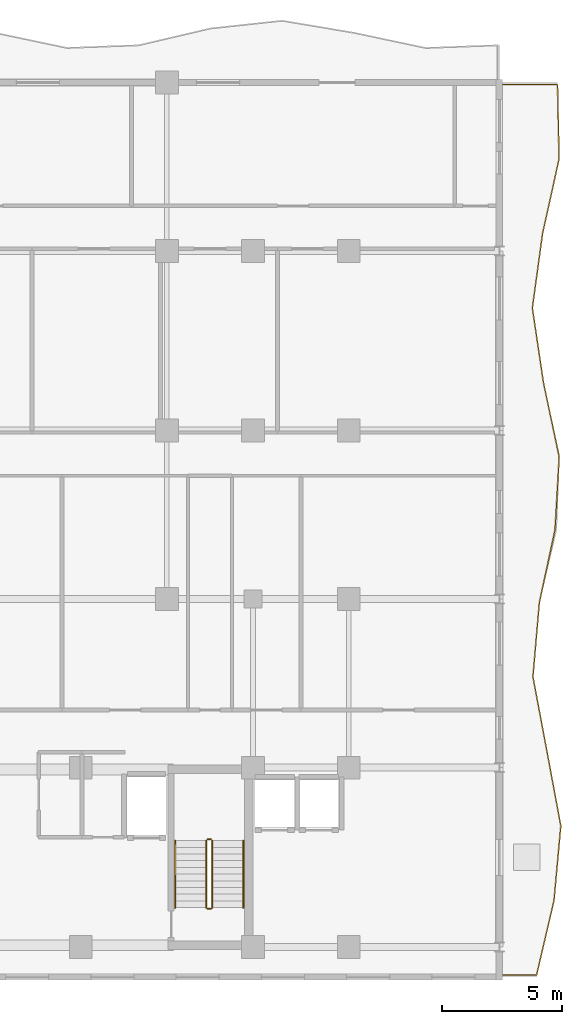
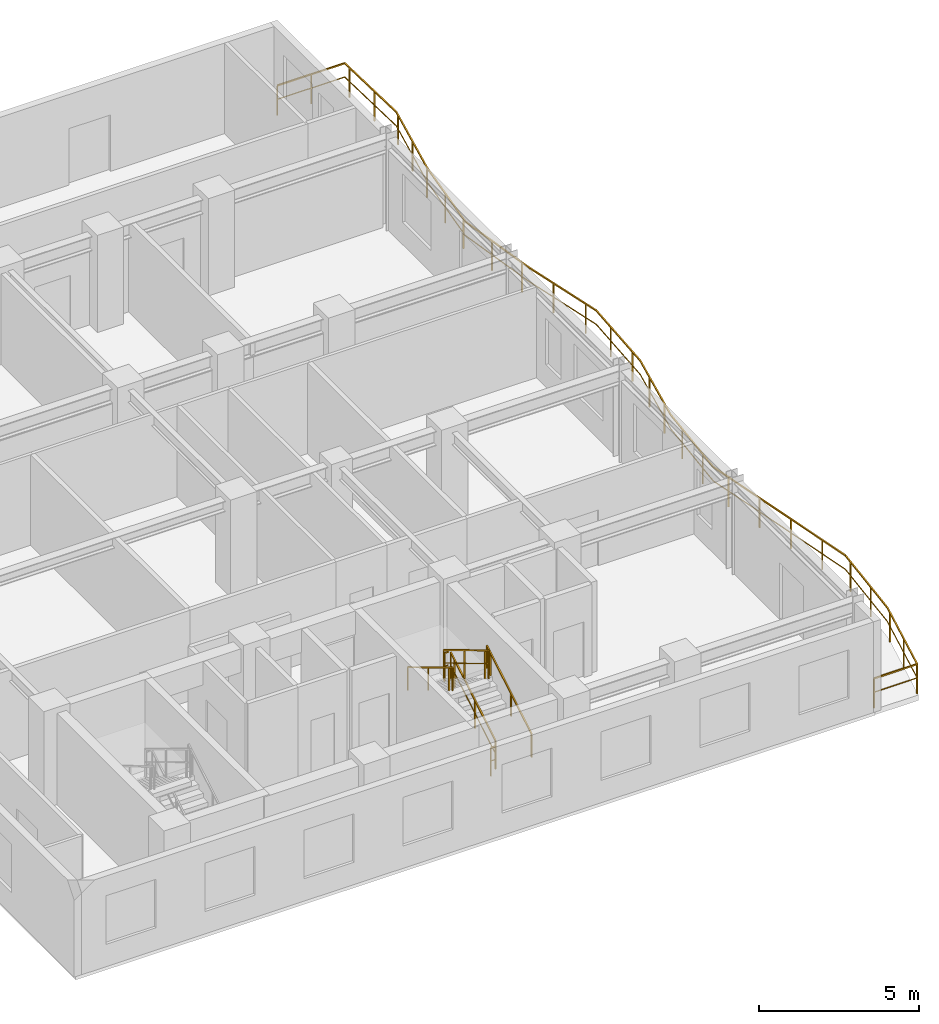
# One storey, part 12 of 14: 7 railings.
"""IFC4 building model written with IfcOpenShell, lengths in metres."""

from ifc_helpers import new_model, si_unit, direction, frame, origin, origin_2d, place, context, subcontext, project, spatial, rectangle, extrude, material, type_object, element, save


model = new_model("IFC4")

# Units and contexts
model_context = context("Model", 3, precision=1e-05, world=origin(), true_north=direction((0.0, 1.0)))
body_context = subcontext(model_context, "Body", "Model", "MODEL_VIEW")
ifc_project = project(units=[si_unit("LENGTHUNIT", "METRE"), si_unit("AREAUNIT", "SQUARE_METRE"), si_unit("VOLUMEUNIT", "CUBIC_METRE"), si_unit("PLANEANGLEUNIT", "RADIAN"), si_unit("MASSUNIT", "GRAM", prefix="KILO")], contexts=[model_context])

# Site, building, storey
site_placement = place(None, origin())
site = spatial("IfcSite", under=ifc_project, at=site_placement, CompositionType="ELEMENT")
building_placement = place(site_placement, origin())
building = spatial("IfcBuilding", under=site, at=building_placement, Name="Kaliganga Portal Commons", CompositionType="ELEMENT")
storey_placement = place(building_placement, frame((0.0, 0.0, 220.300048828125)))
storey = spatial("IfcBuildingStorey", under=building, at=storey_placement, Name="L56", CompositionType="ELEMENT", Elevation=220.300048828125)

# Railings
ifc_material_1 = material(Name="Laminated Safety Glass and Stainless Steel 316", Category="steel")
railing_type_1 = type_object("IfcRailingType", Name="RLG-BAL-1150", PredefinedType="BALUSTRADE", material=ifc_material_1)
railing_1_placement = place(storey_placement, frame((60.70751953125, 5.879638671875, 0.0)))
element("IfcRailing", 1, at=railing_1_placement, inside=storey, type_object=railing_type_1, Name="Balcony Guardrail L56 balc_east", PredefinedType="BALUSTRADE", context=body_context, shape_type="SweptSolid", body=[
    extrude(rectangle(XDim=0.048095703125, YDim=0.048095703125, at=origin_2d()), frame((0.0, 0.0, 1.1259765625), z_axis=(0.999999987654, 0.000157133876, 0.0), x_axis=(-0.000157133876, 0.999999987654, 0.0)), (0.0, 0.0, 1.0), 1.5537109375),
    extrude(rectangle(XDim=0.028076171875, YDim=0.028076171875, at=origin_2d()), frame((0.0, 0.0, 0.597900390625), z_axis=(0.999999987654, 0.000157133876, 0.0), x_axis=(-0.000157133876, 0.999999987654, 0.0)), (0.0, 0.0, 1.0), 1.5537109375),
    extrude(rectangle(XDim=0.048095703125, YDim=0.048095703125, at=origin_2d()), frame((1.5537109375, 0.000244140625, 1.1259765625), z_axis=(0.227972161022, 0.973667650587, 0.0), x_axis=(-0.973667650587, 0.227972161022, 0.0)), (0.0, 0.0, 1.0), 3.200927734375),
    extrude(rectangle(XDim=0.028076171875, YDim=0.028076171875, at=origin_2d()), frame((1.5537109375, 0.000244140625, 0.597900390625), z_axis=(0.227972161022, 0.973667650587, 0.0), x_axis=(-0.973667650587, 0.227972161022, 0.0)), (0.0, 0.0, 1.0), 3.200927734375),
    extrude(rectangle(XDim=0.048095703125, YDim=0.048095703125, at=origin_2d()), frame((2.283447265625, 3.116943359375, 1.1259765625), z_axis=(0.090810075903, 0.995868229293, 0.0), x_axis=(-0.995868229293, 0.090810075903, 0.0)), (0.0, 0.0, 1.0), 3.12939453125),
    extrude(rectangle(XDim=0.028076171875, YDim=0.028076171875, at=origin_2d()), frame((2.283447265625, 3.116943359375, 0.597900390625), z_axis=(0.090810075903, 0.995868229293, 0.0), x_axis=(-0.995868229293, 0.090810075903, 0.0)), (0.0, 0.0, 1.0), 3.12939453125),
    extrude(rectangle(XDim=0.048095703125, YDim=0.048095703125, at=origin_2d()), frame((2.567626953125, 6.2333984375, 1.1259765625), z_axis=(-0.182888876021, 0.983133591648, 0.0), x_axis=(-0.983133591648, -0.182888876021, 0.0)), (0.0, 0.0, 1.0), 3.17041015625),
    extrude(rectangle(XDim=0.028076171875, YDim=0.028076171875, at=origin_2d()), frame((2.567626953125, 6.2333984375, 0.597900390625), z_axis=(-0.182888876021, 0.983133591648, 0.0), x_axis=(-0.983133591648, -0.182888876021, 0.0)), (0.0, 0.0, 1.0), 3.17041015625),
    extrude(rectangle(XDim=0.048095703125, YDim=0.048095703125, at=origin_2d()), frame((1.98779296875, 9.350341796875, 1.1259765625), z_axis=(-0.184688263492, 0.982797153704, 0.0), x_axis=(-0.982797153704, -0.184688263492, 0.0)), (0.0, 0.0, 1.0), 3.171142578125),
    extrude(rectangle(XDim=0.028076171875, YDim=0.028076171875, at=origin_2d()), frame((1.98779296875, 9.350341796875, 0.597900390625), z_axis=(-0.184688263492, 0.982797153704, 0.0), x_axis=(-0.982797153704, -0.184688263492, 0.0)), (0.0, 0.0, 1.0), 3.171142578125),
    extrude(rectangle(XDim=0.048095703125, YDim=0.048095703125, at=origin_2d()), frame((1.402099609375, 12.467041015625, 1.1259765625), z_axis=(0.08623559638, 0.996274772298, 0.0), x_axis=(-0.996274772298, 0.08623559638, 0.0)), (0.0, 0.0, 1.0), 3.12841796875),
    extrude(rectangle(XDim=0.028076171875, YDim=0.028076171875, at=origin_2d()), frame((1.402099609375, 12.467041015625, 0.597900390625), z_axis=(0.08623559638, 0.996274772298, 0.0), x_axis=(-0.996274772298, 0.08623559638, 0.0)), (0.0, 0.0, 1.0), 3.12841796875),
    extrude(rectangle(XDim=0.048095703125, YDim=0.048095703125, at=origin_2d()), frame((1.671875, 15.583740234375, 1.1259765625), z_axis=(0.210259065913, 0.977645705356, 0.0), x_axis=(-0.977645705356, 0.210259065913, 0.0)), (0.0, 0.0, 1.0), 3.10595703125),
    extrude(rectangle(XDim=0.028076171875, YDim=0.028076171875, at=origin_2d()), frame((1.671875, 15.583740234375, 0.597900390625), z_axis=(0.210259065913, 0.977645705356, 0.0), x_axis=(-0.977645705356, 0.210259065913, 0.0)), (0.0, 0.0, 1.0), 3.10595703125),
    extrude(rectangle(XDim=0.048095703125, YDim=0.048095703125, at=origin_2d()), frame((2.324951171875, 18.620361328125, 1.1259765625), z_axis=(0.057264488798, 0.998359042791, 0.0), x_axis=(-0.998359042791, 0.057264488798, 0.0)), (0.0, 0.0, 1.0), 3.0439453125),
    extrude(rectangle(XDim=0.028076171875, YDim=0.028076171875, at=origin_2d()), frame((2.324951171875, 18.620361328125, 0.597900390625), z_axis=(0.057264488798, 0.998359042791, 0.0), x_axis=(-0.998359042791, 0.057264488798, 0.0)), (0.0, 0.0, 1.0), 3.0439453125),
    extrude(rectangle(XDim=0.048095703125, YDim=0.048095703125, at=origin_2d()), frame((2.499267578125, 21.659423828125, 1.1259765625), z_axis=(-0.206710099193, 0.978402235735, 0.0), x_axis=(-0.978402235735, -0.206710099193, 0.0)), (0.0, 0.0, 1.0), 3.18310546875),
    extrude(rectangle(XDim=0.028076171875, YDim=0.028076171875, at=origin_2d()), frame((2.499267578125, 21.659423828125, 0.597900390625), z_axis=(-0.206710099193, 0.978402235735, 0.0), x_axis=(-0.978402235735, -0.206710099193, 0.0)), (0.0, 0.0, 1.0), 3.18310546875),
    extrude(rectangle(XDim=0.048095703125, YDim=0.048095703125, at=origin_2d()), frame((1.84130859375, 24.773681640625, 1.1259765625), z_axis=(-0.146983899754, 0.989138884694, 0.0), x_axis=(-0.989138884694, -0.146983899754, 0.0)), (0.0, 0.0, 1.0), 3.15087890625),
    extrude(rectangle(XDim=0.028076171875, YDim=0.028076171875, at=origin_2d()), frame((1.84130859375, 24.773681640625, 0.597900390625), z_axis=(-0.146983899754, 0.989138884694, 0.0), x_axis=(-0.989138884694, -0.146983899754, 0.0)), (0.0, 0.0, 1.0), 3.15087890625),
    extrude(rectangle(XDim=0.048095703125, YDim=0.048095703125, at=origin_2d()), frame((1.378173828125, 27.890380859375, 1.1259765625), z_axis=(0.135736561489, 0.990744965102, 0.0), x_axis=(-0.990744965102, 0.135736561489, 0.0)), (0.0, 0.0, 1.0), 3.145751953125),
    extrude(rectangle(XDim=0.028076171875, YDim=0.028076171875, at=origin_2d()), frame((1.378173828125, 27.890380859375, 0.597900390625), z_axis=(0.135736561489, 0.990744965102, 0.0), x_axis=(-0.990744965102, 0.135736561489, 0.0)), (0.0, 0.0, 1.0), 3.145751953125),
    extrude(rectangle(XDim=0.048095703125, YDim=0.048095703125, at=origin_2d()), frame((1.80517578125, 31.007080078125, 1.1259765625), z_axis=(0.216063867395, 0.976379232269, 0.0), x_axis=(-0.976379232269, 0.216063867395, 0.0)), (0.0, 0.0, 1.0), 3.192138671875),
    extrude(rectangle(XDim=0.028076171875, YDim=0.028076171875, at=origin_2d()), frame((1.80517578125, 31.007080078125, 0.597900390625), z_axis=(0.216063867395, 0.976379232269, 0.0), x_axis=(-0.976379232269, 0.216063867395, 0.0)), (0.0, 0.0, 1.0), 3.192138671875),
    extrude(rectangle(XDim=0.048095703125, YDim=0.048095703125, at=origin_2d()), frame((2.494873046875, 34.123779296875, 1.1259765625), z_axis=(-0.021145200699, 0.999776415249, 0.0), x_axis=(-0.999776415249, -0.021145200699, 0.0)), (0.0, 0.0, 1.0), 3.117431640625),
    extrude(rectangle(XDim=0.028076171875, YDim=0.028076171875, at=origin_2d()), frame((2.494873046875, 34.123779296875, 0.597900390625), z_axis=(-0.021145200699, 0.999776415249, 0.0), x_axis=(-0.999776415249, -0.021145200699, 0.0)), (0.0, 0.0, 1.0), 3.117431640625),
    extrude(rectangle(XDim=0.048095703125, YDim=0.048095703125, at=origin_2d()), frame((2.428955078125, 37.240478515625, 1.1259765625), z_axis=(-0.999999994949, 0.000100512614, 0.0), x_axis=(-0.000100512614, -0.999999994949, 0.0)), (0.0, 0.0, 1.0), 2.428955078125),
    extrude(rectangle(XDim=0.028076171875, YDim=0.028076171875, at=origin_2d()), frame((2.428955078125, 37.240478515625, 0.597900390625), z_axis=(-0.999999994949, 0.000100512614, 0.0), x_axis=(-0.000100512614, -0.999999994949, 0.0)), (0.0, 0.0, 1.0), 2.428955078125),
    extrude(rectangle(XDim=0.0419921875, YDim=0.0419921875, at=origin_2d()), origin(), (0.0, 0.0, 1.0), 1.101806640625),
    extrude(rectangle(XDim=0.0419921875, YDim=0.0419921875, at=origin_2d()), frame((1.5537109375, 0.000244140625, 0.0)), (0.0, 0.0, 1.0), 1.101806640625),
    extrude(rectangle(XDim=0.0419921875, YDim=0.0419921875, at=origin_2d()), frame((1.883544921875, 1.408447265625, 0.0)), (0.0, 0.0, 1.0), 1.101806640625),
    extrude(rectangle(XDim=0.0419921875, YDim=0.0419921875, at=origin_2d()), frame((2.225341796875, 2.868896484375, 0.0)), (0.0, 0.0, 1.0), 1.101806640625),
    extrude(rectangle(XDim=0.0419921875, YDim=0.0419921875, at=origin_2d()), frame((2.396484375, 4.357177734375, 0.0)), (0.0, 0.0, 1.0), 1.101806640625),
    extrude(rectangle(XDim=0.0419921875, YDim=0.0419921875, at=origin_2d()), frame((2.53271484375, 5.850830078125, 0.0)), (0.0, 0.0, 1.0), 1.101806640625),
    extrude(rectangle(XDim=0.0419921875, YDim=0.0419921875, at=origin_2d()), frame((2.363525390625, 7.33056640625, 0.0)), (0.0, 0.0, 1.0), 1.101806640625),
    extrude(rectangle(XDim=0.0419921875, YDim=0.0419921875, at=origin_2d()), frame((2.089111328125, 8.80517578125, 0.0)), (0.0, 0.0, 1.0), 1.101806640625),
    extrude(rectangle(XDim=0.0419921875, YDim=0.0419921875, at=origin_2d()), frame((1.813232421875, 10.279541015625, 0.0)), (0.0, 0.0, 1.0), 1.101806640625),
    extrude(rectangle(XDim=0.0419921875, YDim=0.0419921875, at=origin_2d()), frame((1.5361328125, 11.753662109375, 0.0)), (0.0, 0.0, 1.0), 1.101806640625),
    extrude(rectangle(XDim=0.0419921875, YDim=0.0419921875, at=origin_2d()), frame((1.46875, 13.23828125, 0.0)), (0.0, 0.0, 1.0), 1.101806640625),
    extrude(rectangle(XDim=0.0419921875, YDim=0.0419921875, at=origin_2d()), frame((1.59814453125, 14.73291015625, 0.0)), (0.0, 0.0, 1.0), 1.101806640625),
    extrude(rectangle(XDim=0.0419921875, YDim=0.0419921875, at=origin_2d()), frame((1.8076171875, 16.215087890625, 0.0)), (0.0, 0.0, 1.0), 1.101806640625),
    extrude(rectangle(XDim=0.0419921875, YDim=0.0419921875, at=origin_2d()), frame((2.123046875, 17.681640625, 0.0)), (0.0, 0.0, 1.0), 1.101806640625),
    extrude(rectangle(XDim=0.0419921875, YDim=0.0419921875, at=origin_2d()), frame((2.35595703125, 19.159423828125, 0.0)), (0.0, 0.0, 1.0), 1.101806640625),
    extrude(rectangle(XDim=0.0419921875, YDim=0.0419921875, at=origin_2d()), frame((2.441650390625, 20.65673828125, 0.0)), (0.0, 0.0, 1.0), 1.101806640625),
    extrude(rectangle(XDim=0.0419921875, YDim=0.0419921875, at=origin_2d()), frame((2.396728515625, 22.14453125, 0.0)), (0.0, 0.0, 1.0), 1.101806640625),
    extrude(rectangle(XDim=0.0419921875, YDim=0.0419921875, at=origin_2d()), frame((2.086669921875, 23.612060546875, 0.0)), (0.0, 0.0, 1.0), 1.101806640625),
    extrude(rectangle(XDim=0.0419921875, YDim=0.0419921875, at=origin_2d()), frame((1.79541015625, 25.0830078125, 0.0)), (0.0, 0.0, 1.0), 1.101806640625),
    extrude(rectangle(XDim=0.0419921875, YDim=0.0419921875, at=origin_2d()), frame((1.574951171875, 26.566650390625, 0.0)), (0.0, 0.0, 1.0), 1.101806640625),
    extrude(rectangle(XDim=0.0419921875, YDim=0.0419921875, at=origin_2d()), frame((1.400146484375, 28.05078125, 0.0)), (0.0, 0.0, 1.0), 1.101806640625),
    extrude(rectangle(XDim=0.0419921875, YDim=0.0419921875, at=origin_2d()), frame((1.603759765625, 29.536865234375, 0.0)), (0.0, 0.0, 1.0), 1.101806640625),
    extrude(rectangle(XDim=0.0419921875, YDim=0.0419921875, at=origin_2d()), frame((1.80859375, 31.022705078125, 0.0)), (0.0, 0.0, 1.0), 1.101806640625),
    extrude(rectangle(XDim=0.0419921875, YDim=0.0419921875, at=origin_2d()), frame((2.1328125, 32.4873046875, 0.0)), (0.0, 0.0, 1.0), 1.101806640625),
    extrude(rectangle(XDim=0.0419921875, YDim=0.0419921875, at=origin_2d()), frame((2.456787109375, 33.951904296875, 0.0)), (0.0, 0.0, 1.0), 1.101806640625),
    extrude(rectangle(XDim=0.0419921875, YDim=0.0419921875, at=origin_2d()), frame((2.466796875, 35.447509765625, 0.0)), (0.0, 0.0, 1.0), 1.101806640625),
    extrude(rectangle(XDim=0.0419921875, YDim=0.0419921875, at=origin_2d()), frame((2.43505859375, 36.947021484375, 0.0)), (0.0, 0.0, 1.0), 1.101806640625),
    extrude(rectangle(XDim=0.0419921875, YDim=0.0419921875, at=origin_2d()), frame((1.222412109375, 37.240478515625, 0.0)), (0.0, 0.0, 1.0), 1.101806640625),
    extrude(rectangle(XDim=0.0419921875, YDim=0.0419921875, at=origin_2d()), frame((0.0, 37.24072265625, 0.0)), (0.0, 0.0, 1.0), 1.101806640625),
])
ifc_material_2 = material(Name="Galvanized Painted Steel Balustrade", Category="steel")
railing_type_2 = type_object("IfcRailingType", Name="RLG-STAIR-GRD", PredefinedType="GUARDRAIL", material=ifc_material_2)
railing_2_placement = place(storey_placement, frame((48.699951171875, 8.699951171875, 0.168212890625)))
element("IfcRailing", 2, at=railing_2_placement, inside=storey, type_object=railing_type_2, Name="L56 ST-B2 stair guard 1", PredefinedType="GUARDRAIL", context=body_context, shape_type="SweptSolid", body=[
    extrude(rectangle(XDim=0.048095703125, YDim=0.048095703125, at=origin_2d()), frame((0.0, 0.0, 1.072021484375), z_axis=(0.0, 0.857275202839, 0.514858452973), x_axis=(-1.0, 0.0, 0.0)), (0.0, 0.0, 1.0), 3.26611328125),
    extrude(rectangle(XDim=0.028076171875, YDim=0.028076171875, at=origin_2d()), frame((0.0, 0.0, 0.572021484375), z_axis=(0.0, 0.857275202839, 0.514858452973), x_axis=(-1.0, 0.0, 0.0)), (0.0, 0.0, 1.0), 3.26611328125),
    extrude(rectangle(XDim=0.0419921875, YDim=0.0419921875, at=origin_2d()), origin(), (0.0, 0.0, 1.0), 1.052001953125),
    extrude(rectangle(XDim=0.0419921875, YDim=0.0419921875, at=origin_2d()), frame((0.0, 1.285888671875, 0.772216796875)), (0.0, 0.0, 1.0), 1.052001953125),
    extrude(rectangle(XDim=0.0419921875, YDim=0.0419921875, at=origin_2d()), frame((0.0, 2.57177734375, 1.544677734375)), (0.0, 0.0, 1.0), 1.052001953125),
    extrude(rectangle(XDim=0.0419921875, YDim=0.0419921875, at=origin_2d()), frame((0.0, 2.800048828125, 1.681640625)), (0.0, 0.0, 1.0), 1.052001953125),
])
railing_3_placement = place(storey_placement, frame((48.64990234375, 11.550048828125, 1.849853515625)))
element("IfcRailing", 3, at=railing_3_placement, inside=storey, type_object=railing_type_2, Name="L56 ST-B2 stair guard 2", PredefinedType="GUARDRAIL", context=body_context, shape_type="SweptSolid", body=[
    extrude(rectangle(XDim=0.048095703125, YDim=0.048095703125, at=origin_2d()), frame((0.0, 0.0, 1.076171875), z_axis=(-1.0, 0.0, 0.0), x_axis=(0.0, -1.0, 0.0)), (0.0, 0.0, 1.0), 0.14990234375),
    extrude(rectangle(XDim=0.028076171875, YDim=0.028076171875, at=origin_2d()), frame((0.0, 0.0, 0.572021484375), z_axis=(-1.0, 0.0, 0.0), x_axis=(0.0, -1.0, 0.0)), (0.0, 0.0, 1.0), 0.14990234375),
    extrude(rectangle(XDim=0.0419921875, YDim=0.0419921875, at=origin_2d()), frame((-0.14990234375, 0.0, 0.0)), (0.0, 0.0, 1.0), 1.052001953125),
])
railing_4_placement = place(storey_placement, frame((48.449951171875, 11.5, 2.01806640625)))
element("IfcRailing", 4, at=railing_4_placement, inside=storey, type_object=railing_type_2, Name="L56 ST-B2 stair guard 3", PredefinedType="GUARDRAIL", context=body_context, shape_type="SweptSolid", body=[
    extrude(rectangle(XDim=0.048095703125, YDim=0.048095703125, at=origin_2d()), frame((0.0, 0.0, 1.072021484375), z_axis=(0.0, -0.857242210791, 0.514913383045), x_axis=(1.0, 0.0, 0.0)), (0.0, 0.0, 1.0), 3.266357421875),
    extrude(rectangle(XDim=0.028076171875, YDim=0.028076171875, at=origin_2d()), frame((0.0, 0.0, 0.572021484375), z_axis=(0.0, -0.857242210791, 0.514913383045), x_axis=(1.0, 0.0, 0.0)), (0.0, 0.0, 1.0), 3.266357421875),
    extrude(rectangle(XDim=0.0419921875, YDim=0.0419921875, at=origin_2d()), origin(), (0.0, 0.0, 1.0), 1.052001953125),
    extrude(rectangle(XDim=0.0419921875, YDim=0.0419921875, at=origin_2d()), frame((0.0, -1.285888671875, 0.7724609375)), (0.0, 0.0, 1.0), 1.052001953125),
    extrude(rectangle(XDim=0.0419921875, YDim=0.0419921875, at=origin_2d()), frame((0.0, -2.57177734375, 1.544677734375)), (0.0, 0.0, 1.0), 1.052001953125),
    extrude(rectangle(XDim=0.0419921875, YDim=0.0419921875, at=origin_2d()), frame((0.0, -2.800048828125, 1.681884765625)), (0.0, 0.0, 1.0), 1.052001953125),
])
railing_5_placement = place(storey_placement, frame((48.64990234375, 8.64990234375, 0.0)))
element("IfcRailing", 5, at=railing_5_placement, inside=storey, type_object=railing_type_2, Name="L56 ST-B2 stair guard 4", PredefinedType="GUARDRAIL", context=body_context, shape_type="SweptSolid", body=[
    extrude(rectangle(XDim=0.048095703125, YDim=0.048095703125, at=origin_2d()), frame((0.0, 0.0, 1.076171875), z_axis=(-1.0, 0.0, 0.0), x_axis=(0.0, -1.0, 0.0)), (0.0, 0.0, 1.0), 0.14990234375),
    extrude(rectangle(XDim=0.028076171875, YDim=0.028076171875, at=origin_2d()), frame((0.0, 0.0, 0.572021484375), z_axis=(-1.0, 0.0, 0.0), x_axis=(0.0, -1.0, 0.0)), (0.0, 0.0, 1.0), 0.14990234375),
    extrude(rectangle(XDim=0.0419921875, YDim=0.0419921875, at=origin_2d()), frame((-0.14990234375, 0.0, 0.0)), (0.0, 0.0, 1.0), 1.052001953125),
])
ifc_material_3 = material(Name="Brushed Stainless Steel 316", Category="steel")
railing_type_3 = type_object("IfcRailingType", Name="RLG-STAIR-HR", PredefinedType="HANDRAIL", material=ifc_material_3)
railing_6_placement = place(storey_placement, frame((50.0, 8.699951171875, 0.168212890625)))
element("IfcRailing", 6, at=railing_6_placement, inside=storey, type_object=railing_type_3, Name="L56 ST-B2 stair handrail 1", PredefinedType="HANDRAIL", context=body_context, shape_type="SweptSolid", body=[
    extrude(rectangle(XDim=0.048095703125, YDim=0.048095703125, at=origin_2d()), frame((0.0, 0.0, 0.871826171875), z_axis=(0.0, 0.857275202839, 0.514858452973), x_axis=(-1.0, 0.0, 0.0)), (0.0, 0.0, 1.0), 3.26611328125),
    extrude(rectangle(XDim=0.0419921875, YDim=0.0419921875, at=origin_2d()), origin(), (0.0, 0.0, 1.0), 0.851806640625),
    extrude(rectangle(XDim=0.0419921875, YDim=0.0419921875, at=origin_2d()), frame((0.0, 1.285888671875, 0.772216796875)), (0.0, 0.0, 1.0), 0.851806640625),
    extrude(rectangle(XDim=0.0419921875, YDim=0.0419921875, at=origin_2d()), frame((0.0, 2.57177734375, 1.544677734375)), (0.0, 0.0, 1.0), 0.851806640625),
    extrude(rectangle(XDim=0.0419921875, YDim=0.0419921875, at=origin_2d()), frame((0.0, 2.800048828125, 1.681640625)), (0.0, 0.0, 1.0), 0.851806640625),
])
railing_7_placement = place(storey_placement, frame((47.14990234375, 11.5, 2.01806640625)))
element("IfcRailing", 7, at=railing_7_placement, inside=storey, type_object=railing_type_3, Name="L56 ST-B2 stair handrail 2", PredefinedType="HANDRAIL", context=body_context, shape_type="SweptSolid", body=[
    extrude(rectangle(XDim=0.048095703125, YDim=0.048095703125, at=origin_2d()), frame((0.0, 0.0, 0.871826171875), z_axis=(0.0, -0.857242210791, 0.514913383045), x_axis=(1.0, 0.0, 0.0)), (0.0, 0.0, 1.0), 3.266357421875),
    extrude(rectangle(XDim=0.0419921875, YDim=0.0419921875, at=origin_2d()), origin(), (0.0, 0.0, 1.0), 0.851806640625),
    extrude(rectangle(XDim=0.0419921875, YDim=0.0419921875, at=origin_2d()), frame((0.0, -1.285888671875, 0.7724609375)), (0.0, 0.0, 1.0), 0.851806640625),
    extrude(rectangle(XDim=0.0419921875, YDim=0.0419921875, at=origin_2d()), frame((0.0, -2.57177734375, 1.544677734375)), (0.0, 0.0, 1.0), 0.851806640625),
    extrude(rectangle(XDim=0.0419921875, YDim=0.0419921875, at=origin_2d()), frame((0.0, -2.800048828125, 1.681884765625)), (0.0, 0.0, 1.0), 0.851806640625),
])

save(model, "model.ifc")
